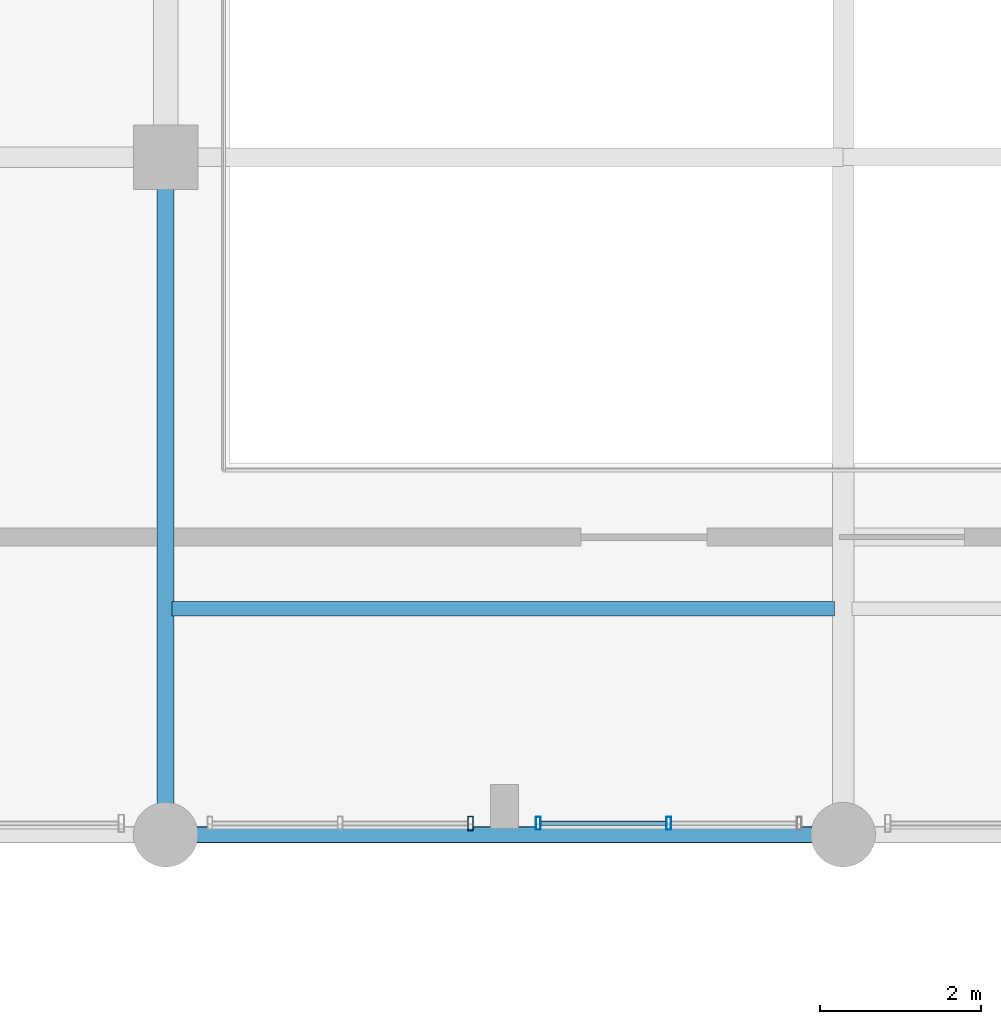
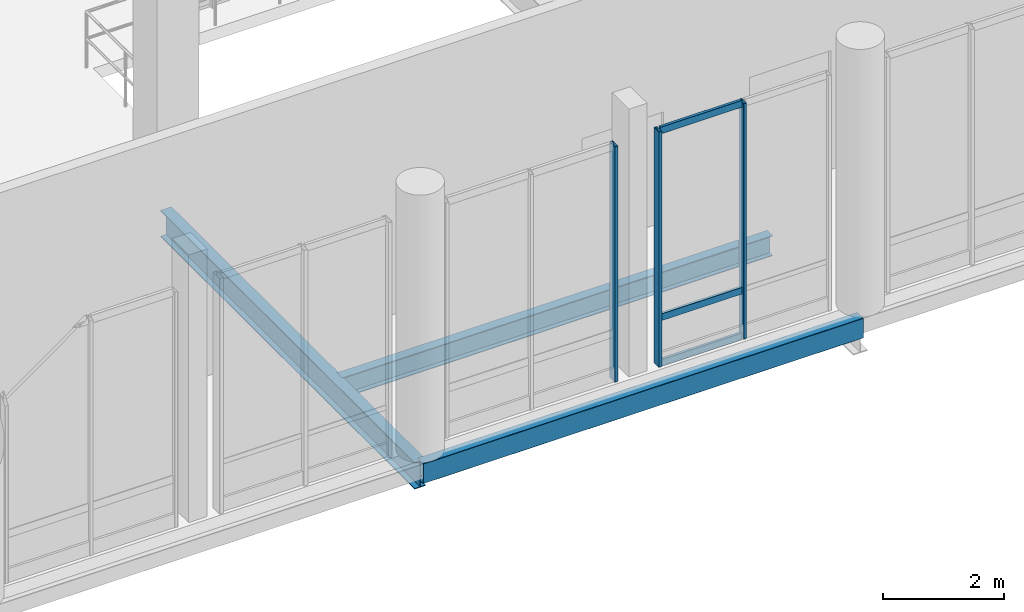
# One storey, part 25 of 128: 6 members, 3 beams, 2 elements without a shape of their own.
"""IFC4 building model written with IfcOpenShell, lengths in metres."""

from ifc_helpers import new_model, si_unit, direction, frame, origin_with_axes, origin_2d_with_axis, place, context, subcontext, project, spatial, hollow_rectangle, i_section, extrude, material, material_profile, profile_set, type_object, element, aggregate, save


model = new_model("IFC4")

# Units and contexts
model_context = context("Model", 3, precision=1e-05, world=origin_with_axes(), true_north=direction((0.0, 1.0)))
body_context = subcontext(model_context, "Body", "Model", "MODEL_VIEW")
ifc_project = project(units=[si_unit("LENGTHUNIT", "METRE"), si_unit("AREAUNIT", "SQUARE_METRE"), si_unit("VOLUMEUNIT", "CUBIC_METRE"), si_unit("PLANEANGLEUNIT", "RADIAN"), si_unit("MASSUNIT", "GRAM", prefix="KILO"), si_unit("THERMODYNAMICTEMPERATUREUNIT", "KELVIN")], contexts=[model_context])

# Site, building, storey
site_placement = place(None, origin_with_axes())
site = spatial("IfcSite", under=ifc_project, at=site_placement, CompositionType="ELEMENT")
building_placement = place(site_placement, origin_with_axes())
building = spatial("IfcBuilding", under=site, at=building_placement, Name="Montbau Bow Law Courts", CompositionType="ELEMENT")
storey_placement = place(building_placement, frame((0.0, 0.0, 5.4), z_axis=(0.0, 0.0, 1.0), x_axis=(1.0, 0.0, 0.0)))
storey = spatial("IfcBuildingStorey", under=building, at=storey_placement, Name="L01", CompositionType="ELEMENT", Elevation=5.4)

# Beams
ifc_material_1 = material(Name="Steel CSA G40.21 Grade 350W (350 MPa)", Category="steel")
ifc_material_profile_1 = material_profile(ifc_material_1, i_section(OverallWidth=0.21, OverallDepth=0.537, WebThickness=0.0109, FlangeThickness=0.0174, at=origin_2d_with_axis()), Name="W530X101", Category="Main", Priority=0)
ifc_profile_set_1 = profile_set([ifc_material_profile_1], Name="Steel CSA G40.21 Grade 350W (350 MPa)")
beam_type_1 = type_object("IfcBeamType", Name="B-FLR-06", PredefinedType="BEAM", material=ifc_profile_set_1)
beam_1_placement = place(None, frame((63.6, 22.2, 4.891), z_axis=(0.0, 1.0, 0.0), x_axis=(-1.0, 0.0, 0.0)))
element("IfcBeam", 1, at=beam_1_placement, inside=storey, type_object=beam_type_1, Name="BM-L01-S1084:bm2_1087", PredefinedType="BEAM", context=body_context, shape_type="SweptSolid", body=[
    extrude(i_section(OverallWidth=0.21, OverallDepth=0.537, WebThickness=0.0109, FlangeThickness=0.0174, at=origin_2d_with_axis()), origin_with_axes(), (0.0, 0.0, 1.0), 8.4),
])
ifc_material_profile_2 = material_profile(ifc_material_1, i_section(OverallWidth=0.179, OverallDepth=0.41, WebThickness=0.0088, FlangeThickness=0.0144, at=origin_2d_with_axis()), Name="W410X67", Category="Main", Priority=0)
ifc_profile_set_2 = profile_set([ifc_material_profile_2], Name="Steel CSA G40.21 Grade 350W (350 MPa)")
beam_type_2 = type_object("IfcBeamType", Name="B-JST-02", PredefinedType="JOIST", material=ifc_profile_set_2)
beam_2_placement = place(None, frame((63.681, 25.0, 4.955), z_axis=(1.0, 0.0, 0.0), x_axis=(0.0, 1.0, 0.0)))
element("IfcBeam", 2, at=beam_2_placement, inside=storey, type_object=beam_type_2, Name="JST-L01-S0549:jst2_0549", PredefinedType="JOIST", context=body_context, shape_type="SweptSolid", body=[
    extrude(i_section(OverallWidth=0.179, OverallDepth=0.41, WebThickness=0.0088, FlangeThickness=0.0144, at=origin_2d_with_axis()), origin_with_axes(), (0.0, 0.0, 1.0), 8.21),
])
ifc_material_2 = material(Name="Steel CSA G40.21 Grade 350WT (350 MPa)", Category="steel")
ifc_material_profile_3 = material_profile(ifc_material_2, hollow_rectangle(XDim=0.203, YDim=0.406, WallThickness=0.0127, InnerFilletRadius=0.0254, OuterFilletRadius=0.0127, at=origin_2d_with_axis()), Name="HSS406X203X13", Category="Main", Priority=0)
ifc_profile_set_3 = profile_set([ifc_material_profile_3], Name="Steel CSA G40.21 Grade 350WT (350 MPa)")
beam_type_3 = type_object("IfcBeamType", Name="B-SPN-01", PredefinedType="SPANDREL", material=ifc_profile_set_3)
beam_3_placement = place(None, frame((63.6, 22.2, 4.957), z_axis=(1.0, 0.0, 0.0), x_axis=(0.0, 1.0, 0.0)))
element("IfcBeam", 3, at=beam_3_placement, inside=storey, type_object=beam_type_3, Name="SPN-L01-S1063:bm2_1066", PredefinedType="SPANDREL", context=body_context, shape_type="SweptSolid", body=[
    extrude(hollow_rectangle(XDim=0.203, YDim=0.406, WallThickness=0.0127, InnerFilletRadius=0.0254, OuterFilletRadius=0.0127, at=origin_2d_with_axis()), origin_with_axes(), (0.0, 0.0, 1.0), 8.4),
])

# Curtain wall, member
ifc_material_3 = material(Name="Thermally Broken Extruded Aluminium AA 6063-T6", Category="aluminium")
curtain_wall_type = type_object("IfcCurtainWallType", Name="CW-WGC-01", PredefinedType="NOTDEFINED", material=ifc_material_3)
curtain_wall_1_placement = place(None, frame((64.115, 22.34, 5.4), z_axis=(0.0, 0.0, 1.0), x_axis=(1.0, 0.0, 0.0)))
curtain_wall_1 = element("IfcCurtainWall", 4, at=curtain_wall_1_placement, inside=storey, type_object=curtain_wall_type, Name="CW-L01-400:cw_0400", PredefinedType="NOTDEFINED")
ifc_material_profile_4 = material_profile(ifc_material_3, hollow_rectangle(XDim=0.065, YDim=0.18, WallThickness=0.005, InnerFilletRadius=0.01, OuterFilletRadius=0.005, at=origin_2d_with_axis()), Name="CWM-180X65", Category="Main", Priority=0)
ifc_profile_set_4 = profile_set([ifc_material_profile_4], Name="Thermally Broken Extruded Aluminium AA 6063-T6")
member_type_1 = type_object("IfcMemberType", Name="M-MUL-02", PredefinedType="MULLION", material=ifc_profile_set_4)
member_1_placement = place(None, frame((67.378, 22.34, 5.4), z_axis=(0.0, 0.0, 1.0), x_axis=(1.0, 0.0, 0.0)))
member_1 = element("IfcMember", 5, at=member_1_placement, type_object=member_type_1, Name="CW-L01-400-M03:cw_0400_M03", PredefinedType="MULLION", context=body_context, shape_type="SweptSolid", body=[
    extrude(hollow_rectangle(XDim=0.065, YDim=0.18, WallThickness=0.005, InnerFilletRadius=0.01, OuterFilletRadius=0.005, at=origin_2d_with_axis()), origin_with_axes(), (0.0, 0.0, 1.0), 4.75),
])
aggregate(curtain_wall_1, [member_1])

# Curtain wall, members
curtain_wall_2_placement = place(None, frame((68.19, 22.34, 5.4), z_axis=(0.0, 0.0, 1.0), x_axis=(1.0, 0.0, 0.0)))
curtain_wall_2 = element("IfcCurtainWall", 6, at=curtain_wall_2_placement, inside=storey, type_object=curtain_wall_type, Name="CW-L01-401:cw_0401", PredefinedType="NOTDEFINED")
ifc_material_profile_5 = material_profile(ifc_material_3, hollow_rectangle(XDim=0.06, YDim=0.16, WallThickness=0.004, InnerFilletRadius=0.008, OuterFilletRadius=0.004, at=origin_2d_with_axis()), Name="CWM-160X60", Category="Main", Priority=0)
ifc_profile_set_5 = profile_set([ifc_material_profile_5], Name="Thermally Broken Extruded Aluminium AA 6063-T6")
member_type_2 = type_object("IfcMemberType", Name="M-MUL-03", PredefinedType="MULLION", material=ifc_profile_set_5)
member_2_placement = place(None, frame((68.22, 22.34, 5.4), z_axis=(0.0, 0.0, 1.0), x_axis=(1.0, 0.0, 0.0)))
member_2 = element("IfcMember", 7, at=member_2_placement, type_object=member_type_2, Name="CW-L01-401-M01:cw_0401_M01", PredefinedType="MULLION", context=body_context, shape_type="SweptSolid", body=[
    extrude(hollow_rectangle(XDim=0.06, YDim=0.16, WallThickness=0.004, InnerFilletRadius=0.008, OuterFilletRadius=0.004, at=origin_2d_with_axis()), origin_with_axes(), (0.0, 0.0, 1.0), 4.75),
])
member_3_placement = place(None, frame((69.838, 22.34, 5.4), z_axis=(0.0, 0.0, 1.0), x_axis=(1.0, 0.0, 0.0)))
member_3 = element("IfcMember", 8, at=member_3_placement, type_object=member_type_2, Name="CW-L01-401-M02:cw_0401_M02", PredefinedType="MULLION", context=body_context, shape_type="SweptSolid", body=[
    extrude(hollow_rectangle(XDim=0.06, YDim=0.16, WallThickness=0.004, InnerFilletRadius=0.008, OuterFilletRadius=0.004, at=origin_2d_with_axis()), origin_with_axes(), (0.0, 0.0, 1.0), 4.75),
])
ifc_material_profile_6 = material_profile(ifc_material_3, hollow_rectangle(XDim=0.055, YDim=0.14, WallThickness=0.004, InnerFilletRadius=0.008, OuterFilletRadius=0.004, at=origin_2d_with_axis()), Name="CWT-140X55", Category="Main", Priority=0)
ifc_profile_set_6 = profile_set([ifc_material_profile_6], Name="Thermally Broken Extruded Aluminium AA 6063-T6")
member_type_3 = type_object("IfcMemberType", Name="M-TRN-02", PredefinedType="USERDEFINED", material=ifc_profile_set_6)
member_4_placement = place(None, frame((68.252, 22.34, 5.428), z_axis=(1.0, 0.0, 0.0), x_axis=(0.0, 1.0, 0.0)))
member_4 = element("IfcMember", 9, at=member_4_placement, type_object=member_type_3, Name="CW-L01-401-T01-1:cw_0401_T01_1", ObjectType="TRANSOM", PredefinedType="USERDEFINED", context=body_context, shape_type="SweptSolid", body=[
    extrude(hollow_rectangle(XDim=0.055, YDim=0.14, WallThickness=0.004, InnerFilletRadius=0.008, OuterFilletRadius=0.004, at=origin_2d_with_axis()), origin_with_axes(), (0.0, 0.0, 1.0), 1.554),
])
member_5_placement = place(None, frame((68.252, 22.34, 6.35), z_axis=(1.0, 0.0, 0.0), x_axis=(0.0, 1.0, 0.0)))
member_5 = element("IfcMember", 10, at=member_5_placement, type_object=member_type_3, Name="CW-L01-401-T01-2:cw_0401_T01_2", ObjectType="TRANSOM", PredefinedType="USERDEFINED", context=body_context, shape_type="SweptSolid", body=[
    extrude(hollow_rectangle(XDim=0.055, YDim=0.14, WallThickness=0.004, InnerFilletRadius=0.008, OuterFilletRadius=0.004, at=origin_2d_with_axis()), origin_with_axes(), (0.0, 0.0, 1.0), 1.554),
])
member_6_placement = place(None, frame((68.252, 22.34, 10.123), z_axis=(1.0, 0.0, 0.0), x_axis=(0.0, 1.0, 0.0)))
member_6 = element("IfcMember", 11, at=member_6_placement, type_object=member_type_3, Name="CW-L01-401-T01-3:cw_0401_T01_3", ObjectType="TRANSOM", PredefinedType="USERDEFINED", context=body_context, shape_type="SweptSolid", body=[
    extrude(hollow_rectangle(XDim=0.055, YDim=0.14, WallThickness=0.004, InnerFilletRadius=0.008, OuterFilletRadius=0.004, at=origin_2d_with_axis()), origin_with_axes(), (0.0, 0.0, 1.0), 1.554),
])
aggregate(curtain_wall_2, [member_2, member_3, member_4, member_5, member_6])

save(model, "model.ifc")
